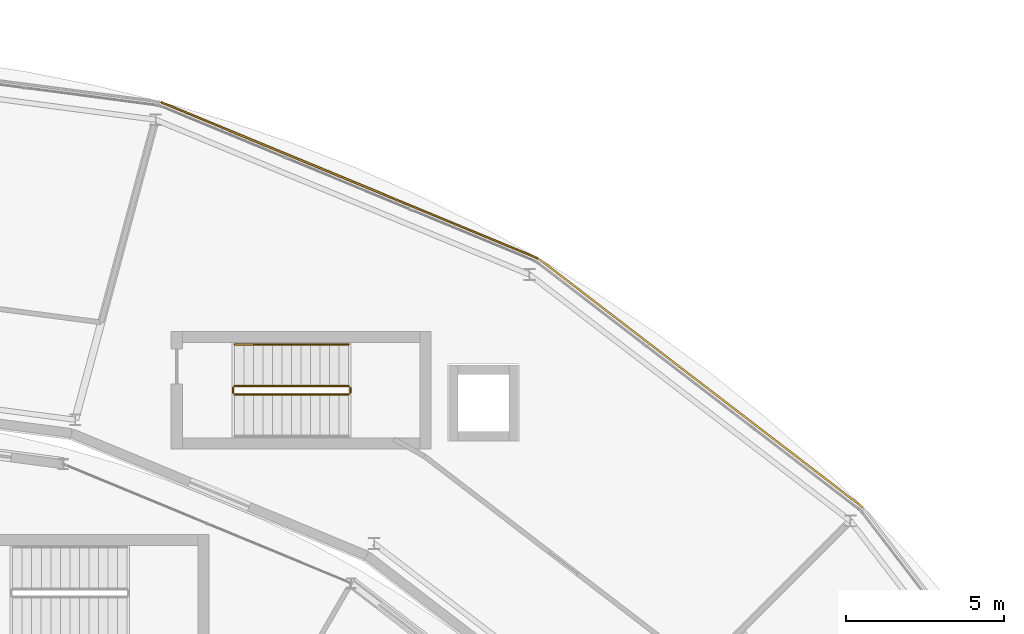
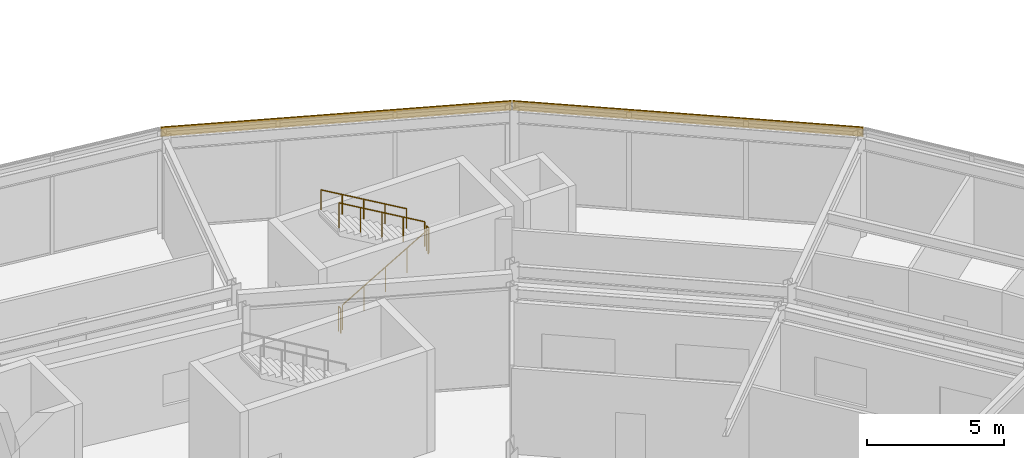
# One storey, part 151 of 157: 5 railings, 2 coverings.
"""IFC4 building model written with IfcOpenShell, lengths in metres."""

from ifc_helpers import new_model, si_unit, direction, frame, origin, origin_2d, place, context, subcontext, project, spatial, rectangle, circle, extrude, material, layer, layer_set, type_object, element, save


model = new_model("IFC4")

# Units and contexts
model_context = context("Model", 3, precision=1e-05, world=origin(), true_north=direction((0.0, 1.0)))
body_context = subcontext(model_context, "Body", "Model", "MODEL_VIEW")
ifc_project = project(units=[si_unit("LENGTHUNIT", "METRE"), si_unit("AREAUNIT", "SQUARE_METRE"), si_unit("VOLUMEUNIT", "CUBIC_METRE"), si_unit("PLANEANGLEUNIT", "RADIAN"), si_unit("MASSUNIT", "GRAM", prefix="KILO")], contexts=[model_context])

# Site, building, storey
site_placement = place(None, origin())
site = spatial("IfcSite", under=ifc_project, at=site_placement, CompositionType="ELEMENT")
building_placement = place(site_placement, origin())
building = spatial("IfcBuilding", under=site, at=building_placement, Name="Almandine Court Research Institute", CompositionType="ELEMENT")
storey_placement = place(building_placement, frame((0.0, 0.0, 5.25)))
storey = spatial("IfcBuildingStorey", under=building, at=storey_placement, Name="L01", CompositionType="ELEMENT", Elevation=5.25)

# Coverings
ifc_material_1 = material(Name="Extruded Cream-Ochre Seismic Terracotta Spandrel", Category="masonry")
ifc_layer = layer(ifc_material_1, 0.054931640625)
ifc_layer_set = layer_set([ifc_layer], Name="Extruded Cream-Ochre Seismic Terracotta Spandrel")
covering_type = type_object("IfcCoveringType", Name="Cov-CLAD-TERR", PredefinedType="CLADDING", material=ifc_layer_set)
for number, where, z_axis, x_axis, name in (
    (1, (116.864990234375, 94.919921875, 3.97998046875), (0.0, 0.0, 1.0), (0.793353340291, -0.608761429009, 0.0), "L01 Drum Stacked Terracotta Ring Band 03"),
    (2, (105.77392578125, 101.323974609375, 3.97998046875), (0.0, 0.0, 1.0), (0.923879532511, -0.382683432365, 0.0), "L01 Drum Stacked Terracotta Ring Band 04"),
):
    element("IfcCovering", number, at=place(storey_placement, frame(where, z_axis=z_axis, x_axis=x_axis)), inside=storey, type_object=covering_type, Name=name, PredefinedType="CLADDING", context=body_context, shape_type="SweptSolid", body=[
        extrude(rectangle(XDim=12.8779296875, YDim=0.054931640625, at=origin_2d()), origin(), (0.0, 0.0, 1.0), 0.419921875),
    ])

# Railings
ifc_material_2 = material(Name="Powder-Coated Steel Stair and Atrium Balustrade", Category="steel")
railing_type_1 = type_object("IfcRailingType", Name="Rail-GUARD-INT", PredefinedType="BALUSTRADE", material=ifc_material_2)
railing_1_placement = place(storey_placement, frame((102.14990234375, 94.570068359375, 0.175048828125)))
element("IfcRailing", 3, at=railing_1_placement, inside=storey, type_object=railing_type_1, Name="L01 ST-09 stair guard 1", PredefinedType="BALUSTRADE", context=body_context, shape_type="SweptSolid", body=[
    extrude(circle(Radius=0.02392578125, at=origin_2d()), frame((0.0, 0.0, 1.09619140625), z_axis=(0.863800146258, 0.0, 0.503834603144), x_axis=(0.0, 1.0, 0.0)), (0.0, 0.0, 1.0), 4.167724609375),
    extrude(circle(Radius=0.02099609375, at=origin_2d()), origin(), (0.0, 0.0, 1.0), 1.072021484375),
    extrude(circle(Radius=0.02099609375, at=origin_2d()), frame((0.89990234375, 0.0, 0.52490234375)), (0.0, 0.0, 1.0), 1.072021484375),
    extrude(circle(Radius=0.02099609375, at=origin_2d()), frame((1.800048828125, 0.0, 1.0498046875)), (0.0, 0.0, 1.0), 1.072021484375),
    extrude(circle(Radius=0.02099609375, at=origin_2d()), frame((2.7001953125, 0.0, 1.574951171875)), (0.0, 0.0, 1.0), 1.072021484375),
    extrude(circle(Radius=0.02099609375, at=origin_2d()), frame((3.60009765625, 0.0, 2.099853515625)), (0.0, 0.0, 1.0), 1.072021484375),
])
railing_2_placement = place(storey_placement, frame((105.800048828125, 94.6201171875, 2.27490234375)))
element("IfcRailing", 4, at=railing_2_placement, inside=storey, type_object=railing_type_1, Name="L01 ST-09 stair guard 2", PredefinedType="BALUSTRADE", context=body_context, shape_type="SweptSolid", body=[
    extrude(circle(Radius=0.02392578125, at=origin_2d()), frame((0.0, 0.0, 1.09619140625), z_axis=(0.0, 1.0, 0.0), x_axis=(-1.0, 0.0, 0.0)), (0.0, 0.0, 1.0), 0.159912109375),
    extrude(circle(Radius=0.02099609375, at=origin_2d()), origin(), (0.0, 0.0, 1.0), 1.072021484375),
    extrude(circle(Radius=0.02099609375, at=origin_2d()), frame((0.0, 0.159912109375, 0.0)), (0.0, 0.0, 1.0), 1.072021484375),
])
railing_3_placement = place(storey_placement, frame((105.75, 94.830078125, 2.449951171875)))
element("IfcRailing", 5, at=railing_3_placement, inside=storey, type_object=railing_type_1, Name="L01 ST-09 stair guard 3", PredefinedType="BALUSTRADE", context=body_context, shape_type="SweptSolid", body=[
    extrude(circle(Radius=0.02392578125, at=origin_2d()), frame((0.0, 0.0, 1.09619140625), z_axis=(-0.863774651768, 0.0, 0.503878309678), x_axis=(0.0, -1.0, 0.0)), (0.0, 0.0, 1.0), 4.16796875),
    extrude(circle(Radius=0.02099609375, at=origin_2d()), origin(), (0.0, 0.0, 1.0), 1.072021484375),
    extrude(circle(Radius=0.02099609375, at=origin_2d()), frame((-0.89990234375, 0.0, 0.52490234375)), (0.0, 0.0, 1.0), 1.072021484375),
    extrude(circle(Radius=0.02099609375, at=origin_2d()), frame((-1.800048828125, 0.0, 1.050048828125)), (0.0, 0.0, 1.0), 1.072021484375),
    extrude(circle(Radius=0.02099609375, at=origin_2d()), frame((-2.7001953125, 0.0, 1.5751953125)), (0.0, 0.0, 1.0), 1.072021484375),
    extrude(circle(Radius=0.02099609375, at=origin_2d()), frame((-3.60009765625, 0.0, 2.10009765625)), (0.0, 0.0, 1.0), 1.072021484375),
])
railing_4_placement = place(storey_placement, frame((102.10009765625, 94.6201171875, 0.0)))
element("IfcRailing", 6, at=railing_4_placement, inside=storey, type_object=railing_type_1, Name="L01 ST-09 stair guard 4", PredefinedType="BALUSTRADE", context=body_context, shape_type="SweptSolid", body=[
    extrude(circle(Radius=0.02392578125, at=origin_2d()), frame((0.0, 0.0, 1.09619140625), z_axis=(0.0, 1.0, 0.0), x_axis=(-1.0, 0.0, 0.0)), (0.0, 0.0, 1.0), 0.159912109375),
    extrude(circle(Radius=0.02099609375, at=origin_2d()), origin(), (0.0, 0.0, 1.0), 1.072021484375),
    extrude(circle(Radius=0.02099609375, at=origin_2d()), frame((0.0, 0.159912109375, 0.0)), (0.0, 0.0, 1.0), 1.072021484375),
])
ifc_material_3 = material(Name="Brushed Stainless Steel Wall Handrail", Category="steel")
railing_type_2 = type_object("IfcRailingType", Name="Rail-HAND-INT", PredefinedType="HANDRAIL", material=ifc_material_3)
railing_5_placement = place(storey_placement, frame((105.75, 96.14990234375, 2.449951171875)))
element("IfcRailing", 7, at=railing_5_placement, inside=storey, type_object=railing_type_2, Name="L01 ST-09 stair handrail 2", PredefinedType="HANDRAIL", context=body_context, shape_type="SweptSolid", body=[
    extrude(circle(Radius=0.02392578125, at=origin_2d()), frame((0.0, 0.0, 0.8759765625), z_axis=(-0.863774651768, 0.0, 0.503878309678), x_axis=(0.0, -1.0, 0.0)), (0.0, 0.0, 1.0), 4.16796875),
    extrude(circle(Radius=0.02099609375, at=origin_2d()), origin(), (0.0, 0.0, 1.0), 0.851806640625),
    extrude(circle(Radius=0.02099609375, at=origin_2d()), frame((-0.89990234375, 0.0, 0.52490234375)), (0.0, 0.0, 1.0), 0.851806640625),
    extrude(circle(Radius=0.02099609375, at=origin_2d()), frame((-1.800048828125, 0.0, 1.050048828125)), (0.0, 0.0, 1.0), 0.851806640625),
    extrude(circle(Radius=0.02099609375, at=origin_2d()), frame((-2.7001953125, 0.0, 1.5751953125)), (0.0, 0.0, 1.0), 0.851806640625),
    extrude(circle(Radius=0.02099609375, at=origin_2d()), frame((-3.60009765625, 0.0, 2.10009765625)), (0.0, 0.0, 1.0), 0.851806640625),
])

save(model, "model.ifc")
